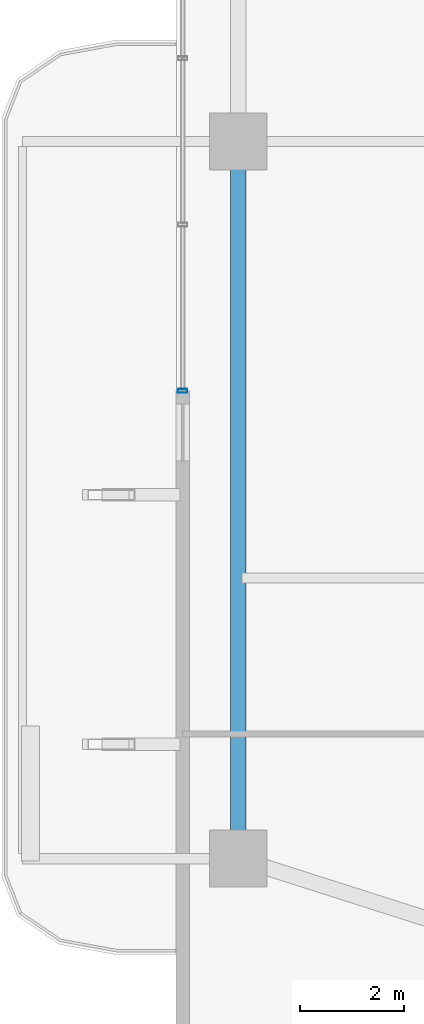
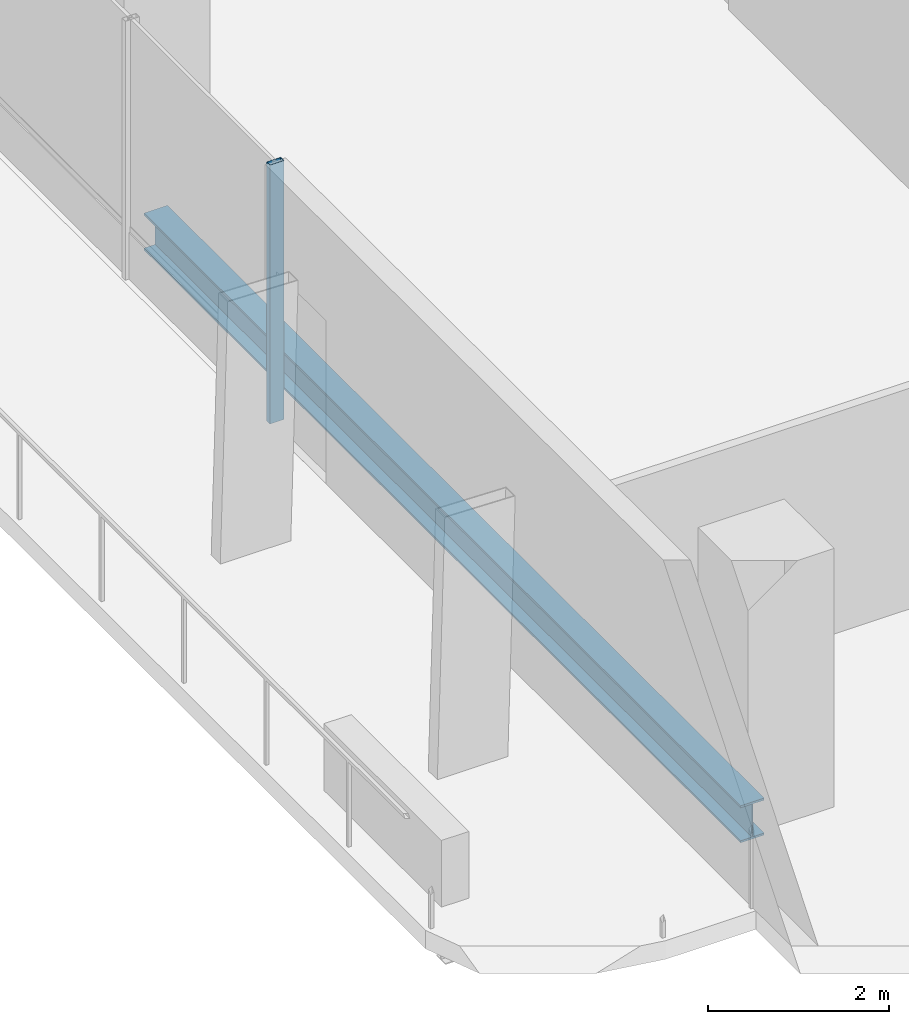
# One storey, part 4 of 23: 1 beam, 1 member, 1 element without a shape of its own.
"""IFC4 building model written with IfcOpenShell, lengths in metres."""

from ifc_helpers import new_model, si_unit, direction, frame, origin, origin_2d, place, context, subcontext, project, spatial, hollow_rectangle, i_section, extrude, material, layer, layer_set, material_profile, profile_set, type_object, element, aggregate, save


model = new_model("IFC4")

# Units and contexts
model_context = context("Model", 3, precision=1e-05, world=origin(), true_north=direction((0.0, 1.0)))
body_context = subcontext(model_context, "Body", "Model", "MODEL_VIEW")
ifc_project = project(units=[si_unit("LENGTHUNIT", "METRE"), si_unit("AREAUNIT", "SQUARE_METRE"), si_unit("VOLUMEUNIT", "CUBIC_METRE"), si_unit("PLANEANGLEUNIT", "RADIAN"), si_unit("MASSUNIT", "GRAM", prefix="KILO")], contexts=[model_context])

# Site, building, storey
site_placement = place(None, origin())
site = spatial("IfcSite", under=ifc_project, at=site_placement, CompositionType="ELEMENT")
building_placement = place(site_placement, origin())
building = spatial("IfcBuilding", under=site, at=building_placement, Name="Belovzor Exchange Tower", CompositionType="ELEMENT")
storey_placement = place(building_placement, frame((0.0, 0.0, 157.050048828125)))
storey = spatial("IfcBuildingStorey", under=building, at=storey_placement, Name="L38", CompositionType="ELEMENT", Elevation=157.050048828125)

# Curtain wall, member
ifc_material_1 = material(Name="Anodised Aluminium Framing", Category="aluminium")
ifc_layer = layer(ifc_material_1, 0.179931640625)
ifc_layer_set = layer_set([ifc_layer], Name="Anodised Aluminium Framing")
curtain_wall_type = type_object("IfcCurtainWallType", Name="Recessed Loggia Low-Iron Triple-Glazed Curtain Wall", PredefinedType="NOTDEFINED", material=ifc_layer_set)
curtain_wall_placement = place(storey_placement, origin())
curtain_wall = element("IfcCurtainWall", 1, at=curtain_wall_placement, inside=storey, type_object=curtain_wall_type, Name="CW3 Recessed Loggia Low-Iron Triple-Glazed Curtain Wall L38", PredefinedType="NOTDEFINED")
ifc_material_2 = material(Name="Steel S355", Category="steel")
ifc_material_profile_1 = material_profile(ifc_material_2, hollow_rectangle(XDim=0.074951171875, YDim=0.179931640625, WallThickness=0.0048828125, at=origin_2d()))
ifc_profile_set_1 = profile_set([ifc_material_profile_1], Name="Steel S355")
member_type = type_object("IfcMemberType", Name="Thermally Broken Curtain Wall Mullion 180x75", PredefinedType="MULLION", material=ifc_profile_set_1)
member_placement = place(storey_placement, frame((4.6298828125, 24.0, 0.0), z_axis=(0.0, 0.0, 1.0), x_axis=(0.0, 1.0, 0.0)))
member = element("IfcMember", 2, at=member_placement, type_object=member_type, Name="CW-M180 Curtain Wall Mullion 1", PredefinedType="MULLION", context=body_context, shape_type="SweptSolid", body=[
    extrude(hollow_rectangle(XDim=0.074951171875, YDim=0.179931640625, WallThickness=0.0048828125, at=origin_2d()), origin(), (0.0, 0.0, 1.0), 3.494873046875),
])
aggregate(curtain_wall, [member])

# Beam
ifc_material_3 = material(Name="Steel S355", Category="steel")
ifc_material_profile_2 = material_profile(ifc_material_3, i_section(OverallWidth=0.300048828125, OverallDepth=0.5, WebThickness=0.014404296875, FlangeThickness=0.028076171875, at=origin_2d()))
ifc_profile_set_2 = profile_set([ifc_material_profile_2], Name="Steel S355")
beam_type = type_object("IfcBeamType", Name="Zone 3 Waist Primary Girder HEB 500", PredefinedType="BEAM", material=ifc_profile_set_2)
beam_placement = place(storey_placement, frame((5.699951171875, 28.498046875, -0.505126953125), z_axis=(0.0, -1.0, 0.0), x_axis=(1.0, 0.0, 0.0)))
element("IfcBeam", 3, at=beam_placement, inside=storey, type_object=beam_type, Name="FG-Z3 Zone 3 Waist Primary Girder HEB 500", PredefinedType="BEAM", context=body_context, shape_type="SweptSolid", body=[
    extrude(i_section(OverallWidth=0.300048828125, OverallDepth=0.5, WebThickness=0.014404296875, FlangeThickness=0.028076171875, at=origin_2d()), origin(), (0.0, 0.0, 1.0), 13.195068359375),
])

save(model, "model.ifc")
